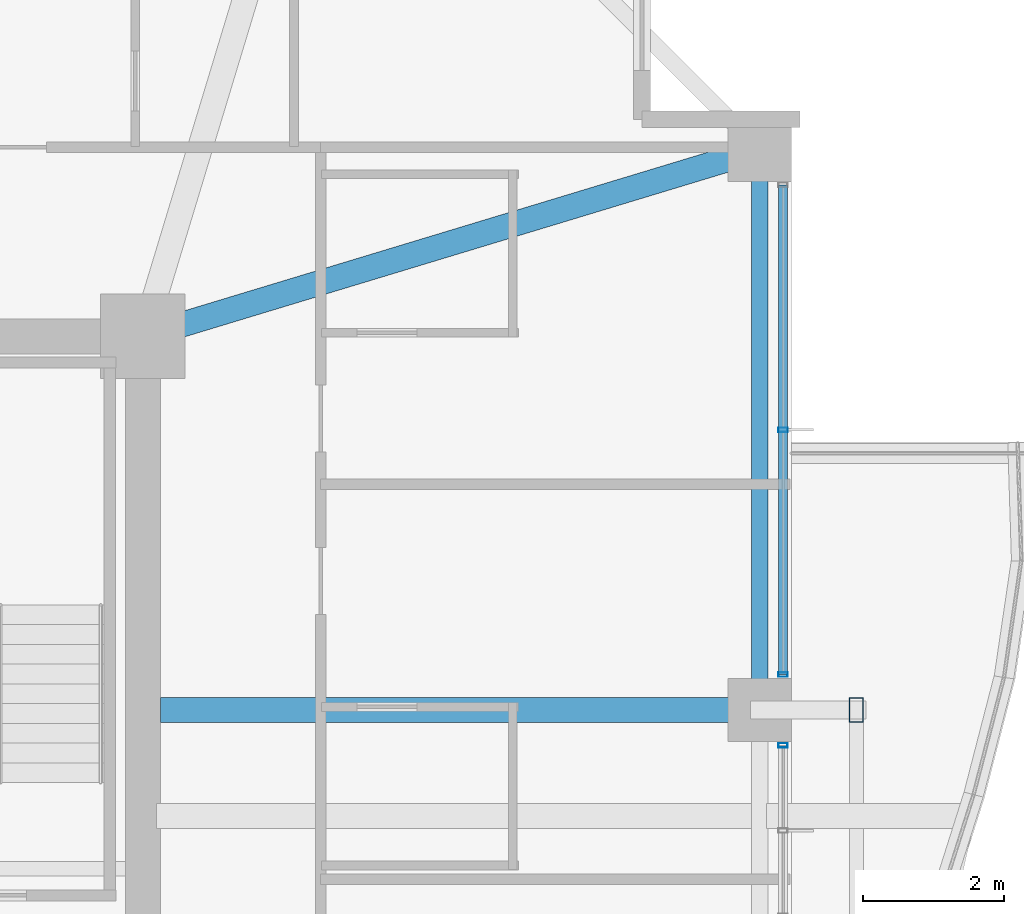
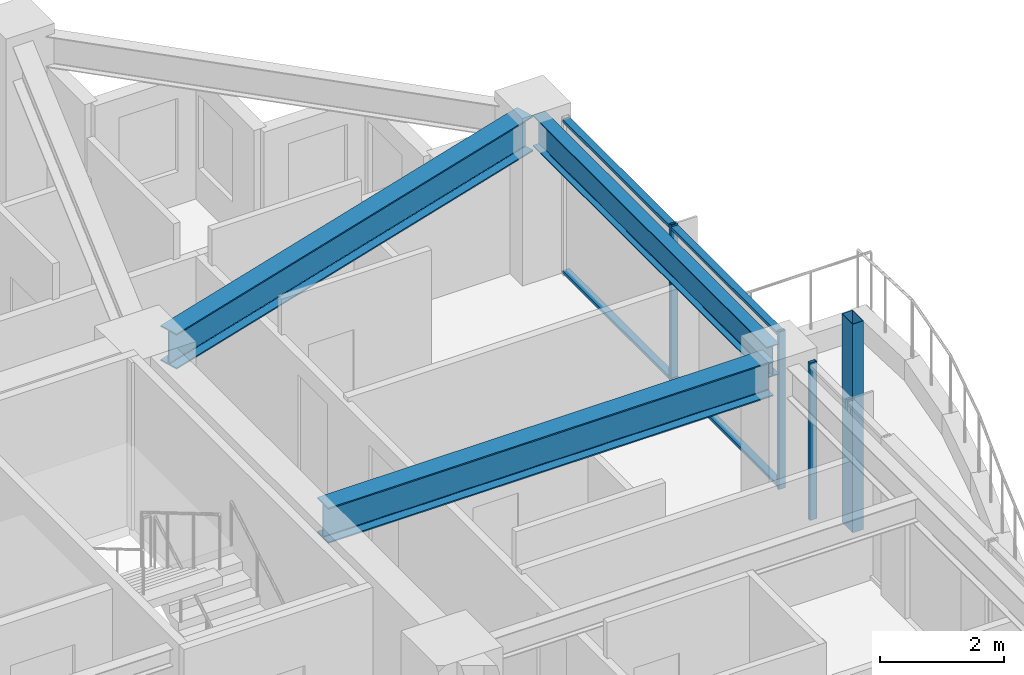
# One storey, part 18 of 37: 6 members, 3 beams, 2 elements without a shape of their own.
"""IFC4 building model written with IfcOpenShell, lengths in metres."""

import ifcopenshell
import ifcopenshell.guid

model = None  # the IFC model being written
_history = None  # IfcOwnerHistory: only IFC2X3 demands one
_inside = {}  # id of a spatial element -> (the spatial element, [elements in it])
_under = {}  # id of a project, library or spatial element -> (it, [spatial elements below it])
_declared = {}  # id of a project -> (the project, [libraries it declares])
_typed = {}  # id of a type object -> (the type object, [elements of that type])
_made_of = {}  # id of a material, layer set ... -> (it, [elements and type objects made of it])


def new_model(schema):
    """Start an empty IFC model of exactly this schema.

    Asked for "IFC4X3", IfcOpenShell would pick the latest addendum, in which some entities
    have other attributes; the version numbers below select the first issue.
    IFC2X3 requires an IfcOwnerHistory on every rooted entity: one is made here for all.
    """
    global model, _history
    if schema == "IFC4X3":
        model = ifcopenshell.file(schema_version=(4, 3, 0, 0))
    else:
        model = ifcopenshell.file(schema=schema)
    _inside.clear()
    _under.clear()
    _declared.clear()
    _typed.clear()
    _made_of.clear()
    _history = None
    if model.schema == "IFC2X3":
        org = make("IfcOrganization", Name="unknown")
        user = make(
            "IfcPersonAndOrganization",
            ThePerson=make("IfcPerson", FamilyName="unknown"),
            TheOrganization=org,
        )
        app = make(
            "IfcApplication",
            ApplicationDeveloper=org,
            Version="unknown",
            ApplicationFullName="unknown",
            ApplicationIdentifier="unknown",
        )
        _history = make(
            "IfcOwnerHistory",
            OwningUser=user,
            OwningApplication=app,
            ChangeAction="ADDED",
            CreationDate=0,
        )
    return model


def make(cls, **values):
    """One entity of the class cls with the attributes given. An attribute that is None is left unset."""
    return model.create_entity(
        cls, **{name: value for name, value in values.items() if value is not None}
    )


def rooted(cls, **values):
    """An entity with a GlobalId (a new one), such as an element, a storey or a relation."""
    return make(cls, GlobalId=ifcopenshell.guid.new(), OwnerHistory=_history, **values)


def si_unit(unit_type, name, prefix=None):
    """IfcSIUnit, for example si_unit("LENGTHUNIT", "METRE", prefix="MILLI")."""
    return make("IfcSIUnit", UnitType=unit_type, Prefix=prefix, Name=name)


def assignment(units):
    """IfcUnitAssignment: the units of a project."""
    return None if units is None else make("IfcUnitAssignment", Units=units)


def point(xyz):
    """IfcCartesianPoint."""
    return None if xyz is None else make("IfcCartesianPoint", Coordinates=xyz)


def direction(xyz):
    """IfcDirection."""
    return None if xyz is None else make("IfcDirection", DirectionRatios=xyz)


def frame(location, z_axis=None, x_axis=None):
    """IfcAxis2Placement3D, a coordinate frame: its origin and axes. An axis left out is left unset."""
    return make(
        "IfcAxis2Placement3D",
        Location=point(location),
        Axis=direction(z_axis),
        RefDirection=direction(x_axis),
    )


def frame_2d(location, x_axis=None):
    """IfcAxis2Placement2D, a coordinate frame in the plane: its origin and x axis."""
    return make(
        "IfcAxis2Placement2D", Location=point(location), RefDirection=direction(x_axis)
    )


def origin():
    """The frame at (0, 0, 0) with its axes left unset."""
    return frame((0.0, 0.0, 0.0))


def origin_2d():
    """The frame at (0, 0) in the plane with its x axis left unset."""
    return frame_2d((0.0, 0.0))


def place(relative_to, where):
    """IfcLocalPlacement: puts the frame where relative to a parent placement (None: the world)."""
    return make(
        "IfcLocalPlacement", PlacementRelTo=relative_to, RelativePlacement=where
    )


def context(
    kind, dimensions, precision=None, world=None, true_north=None, identifier=None
):
    """IfcGeometricRepresentationContext, for example the 3D "Model" context."""
    return make(
        "IfcGeometricRepresentationContext",
        ContextIdentifier=identifier,
        ContextType=kind,
        CoordinateSpaceDimension=dimensions,
        Precision=precision,
        WorldCoordinateSystem=world,
        TrueNorth=true_north,
    )


def subcontext(parent, identifier, kind, view, scale=None):
    """IfcGeometricRepresentationSubContext, for example "Body" below "Model"."""
    return make(
        "IfcGeometricRepresentationSubContext",
        ContextIdentifier=identifier,
        ContextType=kind,
        ParentContext=parent,
        TargetScale=scale,
        TargetView=view,
    )


def project(units=None, contexts=None):
    """IfcProject with its units and contexts."""
    return rooted(
        "IfcProject",
        Name="project",
        RepresentationContexts=contexts,
        UnitsInContext=assignment(units),
    )


def spatial(cls, under=None, at=None, **own):
    """A site, building, storey or space (cls), placed at a placement, below another one or the project."""
    s = rooted(cls, ObjectPlacement=at, **own)
    if under is not None:
        _under.setdefault(under.id(), (under, []))[1].append(s)
    return s


def profile(cls, at=None, kind="AREA", **sizes):
    """A parametric profile (cls). Its sizes go by their IFC names, for example OverallWidth=200.0."""
    return make(cls, ProfileType=kind, Position=at, **sizes)


def hollow_rectangle(**sizes):
    """IfcRectangleHollowProfileDef."""
    return profile("IfcRectangleHollowProfileDef", **sizes)


def i_section(**sizes):
    """IfcIShapeProfileDef."""
    return profile("IfcIShapeProfileDef", **sizes)


def extrude(swept, where, along, depth):
    """IfcExtrudedAreaSolid: the profile swept, set in the frame where, extruded along a direction by depth."""
    return make(
        "IfcExtrudedAreaSolid",
        SweptArea=swept,
        Position=where,
        ExtrudedDirection=direction(along),
        Depth=depth,
    )


def shape(context_of_items, identifier, shape_type, items):
    """IfcShapeRepresentation: the items that make up one representation, for example the "Body"."""
    return make(
        "IfcShapeRepresentation",
        ContextOfItems=context_of_items,
        RepresentationIdentifier=identifier,
        RepresentationType=shape_type,
        Items=items,
    )


def material(Name=None, Category=None):
    """IfcMaterial."""
    return make("IfcMaterial", Name=Name, Category=Category)


def material_profile(
    of_material, cross_section, Name=None, Category=None, Priority=None
):
    """IfcMaterialProfile: a cross section and its material."""
    return make(
        "IfcMaterialProfile",
        Name=Name,
        Material=of_material,
        Profile=cross_section,
        Priority=Priority,
        Category=Category,
    )


def profile_set(profiles, Name=None, composite=None):
    """IfcMaterialProfileSet."""
    return make(
        "IfcMaterialProfileSet",
        Name=Name,
        MaterialProfiles=profiles,
        CompositeProfile=composite,
    )


def made_of(thing, what):
    """Note that an element or type object is made of a material, layer set ...; save() writes the relation."""
    if what is not None:
        _made_of.setdefault(what.id(), (what, []))[1].append(thing)
    return thing


def type_object(cls, material=None, **own):
    """A type object (cls), such as IfcWallType, which elements share."""
    return made_of(rooted(cls, **own), material)


def element(
    cls,
    number,
    at=None,
    inside=None,
    cuts=None,
    type_object=None,
    material=None,
    context=None,
    identifier="Body",
    shape_type=None,
    held_by="IfcProductDefinitionShape",
    body=None,
    shapes=None,
    **own,
):
    """One element of the class cls, such as IfcWall. Its Tag is "e" and its number.

    at: its placement. inside: the storey or other place that contains it. cuts: it is an
    opening in that element (IfcRelVoidsElement). A single representation is given by context,
    identifier, shape_type and body (its items); several are given by shapes. held_by: the class
    of the entity that holds the representations. save() writes the other relations.
    """
    e = rooted(cls, Tag="e%d" % number, ObjectPlacement=at, **own)
    if body is not None:
        shapes = [shape(context, identifier, shape_type, body)]
    if shapes is not None:
        e.Representation = make(held_by, Representations=shapes)
    if inside is not None:
        _inside.setdefault(inside.id(), (inside, []))[1].append(e)
    if cuts is not None:
        rooted(
            "IfcRelVoidsElement", RelatingBuildingElement=cuts, RelatedOpeningElement=e
        )
    if type_object is not None:
        _typed.setdefault(type_object.id(), (type_object, []))[1].append(e)
    return made_of(e, material)


def aggregate(whole, parts):
    """IfcRelAggregates: a whole, such as a stair, and the parts it consists of."""
    return rooted("IfcRelAggregates", RelatingObject=whole, RelatedObjects=parts)


def save(model, path):
    """Write the relations noted so far, then the file.

    IfcRelAggregates (storeys below a building ...), IfcRelContainedInSpatialStructure (elements
    in a storey), IfcRelDefinesByType, IfcRelAssociatesMaterial and IfcRelDeclares: one each for
    every whole, place, type object, material and project.
    """
    for whole, parts in _under.values():
        aggregate(whole, parts)
    for where, things in _inside.values():
        rooted(
            "IfcRelContainedInSpatialStructure",
            RelatedElements=things,
            RelatingStructure=where,
        )
    for kind, things in _typed.values():
        rooted("IfcRelDefinesByType", RelatedObjects=things, RelatingType=kind)
    for what, things in _made_of.values():
        rooted("IfcRelAssociatesMaterial", RelatedObjects=things, RelatingMaterial=what)
    for by, libraries in _declared.values():
        rooted("IfcRelDeclares", RelatingContext=by, RelatedDefinitions=libraries)
    model.write(path)


model = new_model("IFC4")

# Units and contexts
model_context = context("Model", 3, precision=1e-05, world=origin(), true_north=direction((0.0, 1.0)))
body_context = subcontext(model_context, "Body", "Model", "MODEL_VIEW")
ifc_project = project(units=[si_unit("LENGTHUNIT", "METRE"), si_unit("AREAUNIT", "SQUARE_METRE"), si_unit("VOLUMEUNIT", "CUBIC_METRE"), si_unit("PLANEANGLEUNIT", "RADIAN"), si_unit("MASSUNIT", "GRAM", prefix="KILO")], contexts=[model_context])

# Site, building, storey
site_placement = place(None, origin())
site = spatial("IfcSite", under=ifc_project, at=site_placement, CompositionType="ELEMENT")
building_placement = place(site_placement, origin())
building = spatial("IfcBuilding", under=site, at=building_placement, Name="Kolvaren Belvedere", CompositionType="ELEMENT")
storey_placement = place(building_placement, frame((0.0, 0.0, 156.89990234375)))
storey = spatial("IfcBuildingStorey", under=building, at=storey_placement, Name="L45", CompositionType="ELEMENT", Elevation=156.89990234375)

# Beams
ifc_material_1 = material(Name="Structural steel ASTM A992 Grade 50", Category="steel")
ifc_material_profile_1 = material_profile(ifc_material_1, i_section(OverallWidth=0.35498046875, OverallDepth=0.696044921875, WebThickness=0.015380859375, FlangeThickness=0.02490234375, FilletRadius=0.02197265625, at=origin_2d()), Name="W27X146")
ifc_profile_set_1 = profile_set([ifc_material_profile_1], Name="Structural steel ASTM A992 Grade 50")
beam_type_1 = type_object("IfcBeamType", Name="BM-GIRD-W27X146", PredefinedType="BEAM", material=ifc_profile_set_1)
beam_1_placement = place(storey_placement, frame((10.14990234375, 4.60009765625, 2.752197265625), z_axis=(1.0, 0.0, 0.0), x_axis=(0.0, 1.0, 0.0)))
element("IfcBeam", 1, at=beam_1_placement, inside=storey, type_object=beam_type_1, Name="L45 East Radial Girder P", PredefinedType="BEAM", context=body_context, shape_type="SweptSolid", body=[
    extrude(i_section(OverallWidth=0.35498046875, OverallDepth=0.696044921875, WebThickness=0.015380859375, FlangeThickness=0.02490234375, FilletRadius=0.02197265625, at=origin_2d()), origin(), (0.0, 0.0, 1.0), 8.297607421875),
])
beam_2_placement = place(storey_placement, frame((10.426513671875, 10.059326171875, 2.752197265625), z_axis=(0.957067352423, 0.289865629086, 0.0), x_axis=(-0.289865629086, 0.957067352423, 0.0)))
element("IfcBeam", 2, at=beam_2_placement, inside=storey, type_object=beam_type_1, Name="L45 Corner Core-to-Perimeter Girder CC3-E4", PredefinedType="BEAM", context=body_context, shape_type="SweptSolid", body=[
    extrude(i_section(OverallWidth=0.35498046875, OverallDepth=0.696044921875, WebThickness=0.015380859375, FlangeThickness=0.02490234375, FilletRadius=0.02197265625, at=origin_2d()), origin(), (0.0, 0.0, 1.0), 8.412353515625),
])
ifc_material_2 = material(Name="Structural steel ASTM A992 Grade 50", Category="steel")
ifc_material_profile_2 = material_profile(ifc_material_2, i_section(OverallWidth=0.22900390625, OverallDepth=0.612060546875, WebThickness=0.011962890625, FlangeThickness=0.01953125, FilletRadius=0.01806640625, at=origin_2d()), Name="W24X84")
ifc_profile_set_2 = profile_set([ifc_material_profile_2], Name="Structural steel ASTM A992 Grade 50")
beam_type_2 = type_object("IfcBeamType", Name="BM-SPAN-W24X84", PredefinedType="SPANDREL", material=ifc_profile_set_2)
beam_3_placement = place(storey_placement, frame((18.64990234375, 4.802490234375, 2.794189453125), z_axis=(0.0, 1.0, 0.0), x_axis=(-1.0, 0.0, 0.0)))
element("IfcBeam", 3, at=beam_3_placement, inside=storey, type_object=beam_type_2, Name="L45 Perimeter Spandrel E3-E4", PredefinedType="SPANDREL", context=body_context, shape_type="SweptSolid", body=[
    extrude(i_section(OverallWidth=0.22900390625, OverallDepth=0.612060546875, WebThickness=0.011962890625, FlangeThickness=0.01953125, FilletRadius=0.01806640625, at=origin_2d()), origin(), (0.0, 0.0, 1.0), 7.544921875),
])

# Curtain wall, members
ifc_material_3 = material(Name="Anodised pale-metal aluminium AA 6063-T6", Category="aluminium")
curtain_wall_type = type_object("IfcCurtainWallType", Name="CW-Z3-WAIST", PredefinedType="NOTDEFINED", material=ifc_material_3)
curtain_wall_1_placement = place(storey_placement, origin())
curtain_wall_1 = element("IfcCurtainWall", 4, at=curtain_wall_1_placement, inside=storey, type_object=curtain_wall_type, Name="L45 Unitised Curtain Wall FCW-L45-E1-B1", PredefinedType="NOTDEFINED")
ifc_material_4 = material(Name="Anodised pale-metal aluminium AA 6063-T6", Category="aluminium")
ifc_material_profile_3 = material_profile(ifc_material_4, hollow_rectangle(XDim=0.06494140625, YDim=0.1298828125, WallThickness=0.00390625, at=origin_2d()), Name="ALU-MUL-130X65")
ifc_profile_set_3 = profile_set([ifc_material_profile_3], Name="Anodised pale-metal aluminium AA 6063-T6")
member_type_1 = type_object("IfcMemberType", Name="CW-MUL-130", PredefinedType="MULLION", material=ifc_profile_set_3)
member_1_placement = place(storey_placement, frame((18.97998046875, 8.574951171875, 0.0), z_axis=(0.0, 0.0, 1.0), x_axis=(0.0, 1.0, 0.0)))
member_1 = element("IfcMember", 5, at=member_1_placement, type_object=member_type_1, Name="FCW-L45-E1-B1 Unitised Mullion 2", PredefinedType="MULLION", context=body_context, shape_type="SweptSolid", body=[
    extrude(hollow_rectangle(XDim=0.06494140625, YDim=0.1298828125, WallThickness=0.00390625, at=origin_2d()), origin(), (0.0, 0.0, 1.0), 3.10009765625),
])
member_2_placement = place(storey_placement, frame((18.97998046875, 5.1025390625, 0.0), z_axis=(0.0, 0.0, 1.0), x_axis=(0.0, 1.0, 0.0)))
member_2 = element("IfcMember", 6, at=member_2_placement, type_object=member_type_1, Name="FCW-L45-E1-B1 Unitised Mullion 3", PredefinedType="MULLION", context=body_context, shape_type="SweptSolid", body=[
    extrude(hollow_rectangle(XDim=0.06494140625, YDim=0.1298828125, WallThickness=0.00390625, at=origin_2d()), origin(), (0.0, 0.0, 1.0), 3.10009765625),
])

# Curtain wall, member
curtain_wall_2_placement = place(storey_placement, origin())
curtain_wall_2 = element("IfcCurtainWall", 7, at=curtain_wall_2_placement, inside=storey, type_object=curtain_wall_type, Name="L45 Unitised Curtain Wall FCW-L45-E1-B2", PredefinedType="NOTDEFINED")
member_3_placement = place(storey_placement, frame((18.97998046875, 4.097412109375, 0.0), z_axis=(0.0, 0.0, 1.0), x_axis=(0.0, 1.0, 0.0)))
member_3 = element("IfcMember", 8, at=member_3_placement, type_object=member_type_1, Name="FCW-L45-E1-B2 Unitised Mullion 1", PredefinedType="MULLION", context=body_context, shape_type="SweptSolid", body=[
    extrude(hollow_rectangle(XDim=0.06494140625, YDim=0.1298828125, WallThickness=0.00390625, at=origin_2d()), origin(), (0.0, 0.0, 1.0), 3.10009765625),
])
aggregate(curtain_wall_2, [member_3])

# Member
ifc_material_5 = material(Name="Anodised pale-metal aluminium AA 6063-T6", Category="aluminium")
ifc_material_profile_4 = material_profile(ifc_material_5, hollow_rectangle(XDim=0.06005859375, YDim=0.1298828125, WallThickness=0.00390625, at=origin_2d()), Name="ALU-TRN-130X60")
ifc_profile_set_4 = profile_set([ifc_material_profile_4], Name="Anodised pale-metal aluminium AA 6063-T6")
member_type_2 = type_object("IfcMemberType", Name="CW-TRN-130", PredefinedType="USERDEFINED", material=ifc_profile_set_4)
member_4_placement = place(storey_placement, frame((18.97998046875, 12.047607421875, 0.06005859375), z_axis=(0.0, -1.0, 0.0), x_axis=(0.0, 0.0, 1.0)))
member_4 = element("IfcMember", 9, at=member_4_placement, type_object=member_type_2, Name="FCW-L45-E1-B1 Sill Transom", ObjectType="TRANSOM", PredefinedType="USERDEFINED", context=body_context, shape_type="SweptSolid", body=[
    extrude(hollow_rectangle(XDim=0.06005859375, YDim=0.1298828125, WallThickness=0.00390625, at=origin_2d()), origin(), (0.0, 0.0, 1.0), 6.945068359375),
])

member_5_placement = place(storey_placement, frame((18.97998046875, 12.047607421875, 3.0400390625), z_axis=(0.0, -1.0, 0.0), x_axis=(0.0, 0.0, 1.0)))
member_5 = element("IfcMember", 10, at=member_5_placement, type_object=member_type_2, Name="FCW-L45-E1-B1 Head Transom", ObjectType="TRANSOM", PredefinedType="USERDEFINED", context=body_context, shape_type="SweptSolid", body=[
    extrude(hollow_rectangle(XDim=0.06005859375, YDim=0.1298828125, WallThickness=0.00390625, at=origin_2d()), origin(), (0.0, 0.0, 1.0), 6.945068359375),
])

aggregate(curtain_wall_1, [member_1, member_2, member_4, member_5])

ifc_material_6 = material(Name="Anodised pale-metal aluminium AA 6063-T6", Category="aluminium")
ifc_material_profile_5 = material_profile(ifc_material_6, hollow_rectangle(XDim=0.199951171875, YDim=0.35009765625, WallThickness=0.007568359375, at=origin_2d()), Name="ALU-PF-350X200")
ifc_profile_set_5 = profile_set([ifc_material_profile_5], Name="Anodised pale-metal aluminium AA 6063-T6")
member_type_3 = type_object("IfcMemberType", Name="PF-FRAME-350", PredefinedType="USERDEFINED", material=ifc_profile_set_5)
member_6_placement = place(storey_placement, frame((20.02001953125, 4.60009765625, -0.809814453125), z_axis=(0.0, 0.0, 1.0), x_axis=(1.0, 0.0, 0.0)))
element("IfcMember", 11, at=member_6_placement, inside=storey, type_object=member_type_3, Name="L45 Outboard Picture-Frame Vertical E1", ObjectType="PICTURE FRAME FIN", PredefinedType="USERDEFINED", context=body_context, shape_type="SweptSolid", body=[
    extrude(hollow_rectangle(XDim=0.199951171875, YDim=0.35009765625, WallThickness=0.007568359375, at=origin_2d()), origin(), (0.0, 0.0, 1.0), 4.10986328125),
])

save(model, "model.ifc")
